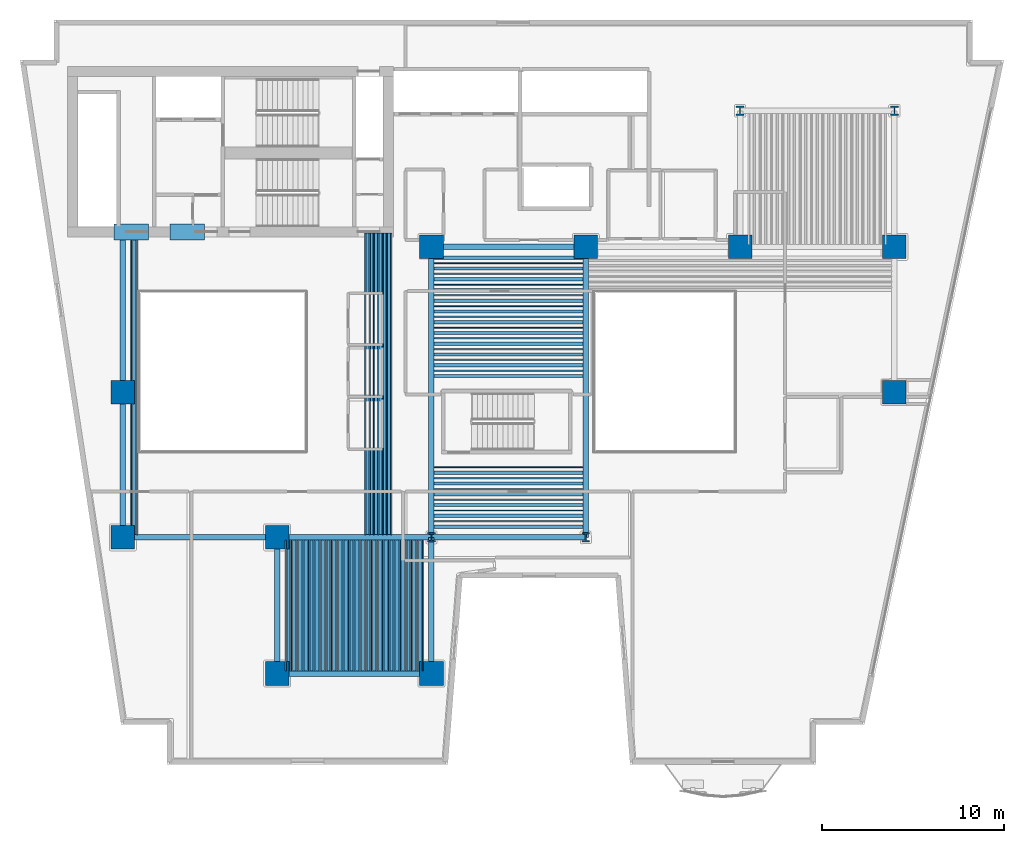
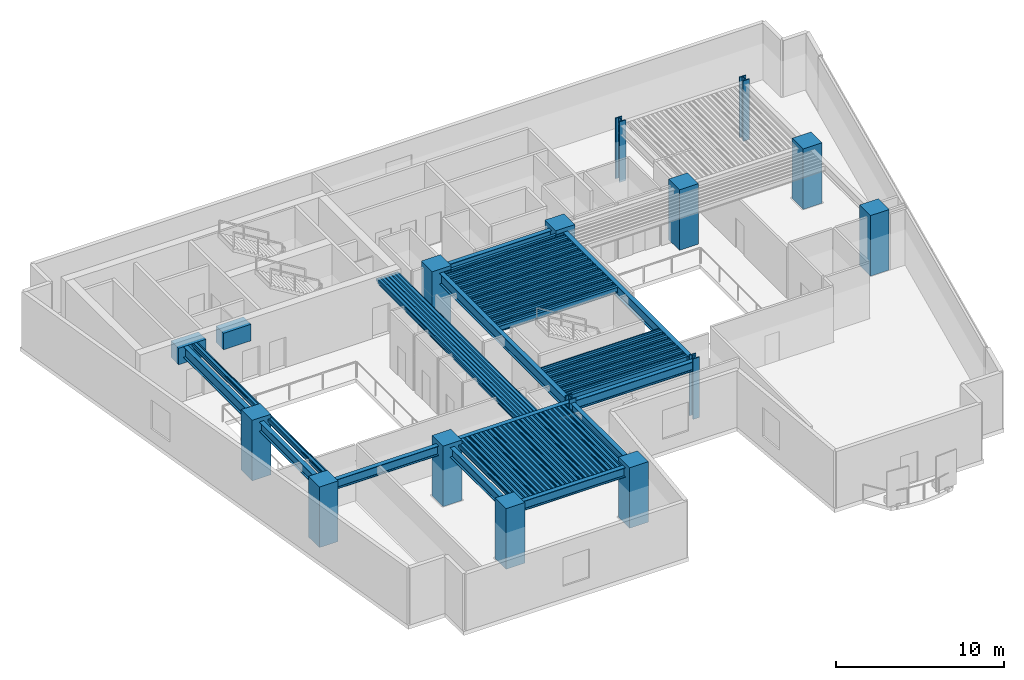
# One storey, part 1 of 12: 113 beams, 14 columns.
"""IFC4 building model written with IfcOpenShell, lengths in metres."""

from ifc_helpers import new_model, si_unit, direction, frame, origin, origin_2d, place, context, subcontext, project, spatial, rectangle, hollow_rectangle, i_section, extrude, material, material_profile, profile_set, type_object, element, save


model = new_model("IFC4")

# Units and contexts
model_context = context("Model", 3, precision=1e-05, world=origin(), true_north=direction((0.0, 1.0)))
body_context = subcontext(model_context, "Body", "Model", "MODEL_VIEW")
ifc_project = project(units=[si_unit("LENGTHUNIT", "METRE"), si_unit("AREAUNIT", "SQUARE_METRE"), si_unit("VOLUMEUNIT", "CUBIC_METRE"), si_unit("PLANEANGLEUNIT", "RADIAN"), si_unit("MASSUNIT", "GRAM", prefix="KILO")], contexts=[model_context])

# Site, building, storey
site_placement = place(None, origin())
site = spatial("IfcSite", under=ifc_project, at=site_placement, CompositionType="ELEMENT")
building_placement = place(site_placement, origin())
building = spatial("IfcBuilding", under=site, at=building_placement, Name="Caeloran Harvest Quay", CompositionType="ELEMENT")
storey_placement = place(building_placement, frame((0.0, 0.0, 97.39990234375)))
storey = spatial("IfcBuildingStorey", under=building, at=storey_placement, Name="L22", CompositionType="ELEMENT", Elevation=97.39990234375)

# Columns
ifc_material_1 = material(Name="Concrete C80/95", Category="concrete")
ifc_material_profile_1 = material_profile(ifc_material_1, rectangle(XDim=1.300048828125, YDim=1.300048828125, at=origin_2d()), Name="RC 1300x1300")
ifc_profile_set_1 = profile_set([ifc_material_profile_1], Name="Concrete C80/95")
column_type_1 = type_object("IfcColumnType", Name="COL-MC-2-RC_1300x1300", PredefinedType="COLUMN", material=ifc_profile_set_1)
for number, where, z_axis, x_axis, name in (
    (1, (8.5, 15.0, 0.0), (0.0, 0.0, 1.0), (1.0, 0.0, 0.0), "L22 Structural Column (8.5, 15.0)"),
    (2, (8.5, 23.0, 0.0), (0.0, 0.0, 1.0), (1.0, 0.0, 0.0), "L22 Structural Column (8.5, 23.0)"),
    (3, (17.0, 7.5, 0.0), (0.0, 0.0, 1.0), (1.0, 0.0, 0.0), "L22 Structural Column (17.0, 7.5)"),
    (4, (17.0, 15.0, 0.0), (0.0, 0.0, 1.0), (1.0, 0.0, 0.0), "L22 Structural Column (17.0, 15.0)"),
    (5, (25.5, 7.5, 0.0), (0.0, 0.0, 1.0), (1.0, 0.0, 0.0), "L22 Structural Column (25.5, 7.5)"),
    (6, (25.5, 31.0, 0.0), (0.0, 0.0, 1.0), (1.0, 0.0, 0.0), "L22 Structural Column (25.5, 31.0)"),
    (7, (34.0, 31.0, 0.0), (0.0, 0.0, 1.0), (1.0, 0.0, 0.0), "L22 Structural Column (34.0, 31.0)"),
    (8, (42.5, 31.0, 0.0), (0.0, 0.0, 1.0), (1.0, 0.0, 0.0), "L22 Structural Column (42.5, 31.0)"),
    (9, (51.0, 23.0, 0.0), (0.0, 0.0, 1.0), (1.0, 0.0, 0.0), "L22 Structural Column (51.0, 23.0)"),
    (10, (51.0, 31.0, 0.0), (0.0, 0.0, 1.0), (1.0, 0.0, 0.0), "L22 Structural Column (51.0, 31.0)"),
):
    element("IfcColumn", number, at=place(storey_placement, frame(where, z_axis=z_axis, x_axis=x_axis)), inside=storey, type_object=column_type_1, Name=name, PredefinedType="COLUMN", context=body_context, shape_type="SweptSolid", body=[
        extrude(rectangle(XDim=1.300048828125, YDim=1.300048828125, at=origin_2d()), origin(), (0.0, 0.0, 1.0), 4.400146484375),
    ])
ifc_material_2 = material(Name="Steel HISTAR 460", Category="steel")
ifc_material_profile_2 = material_profile(ifc_material_2, i_section(OverallWidth=0.43701171875, OverallDepth=0.513916015625, WebThickness=0.060546875, FlangeThickness=0.076904296875, FilletRadius=0.014892578125, at=origin_2d()), Name="HD 400x818")
ifc_profile_set_2 = profile_set([ifc_material_profile_2], Name="Steel HISTAR 460")
column_type_2 = type_object("IfcColumnType", Name="COL-SC-2-HD_400x818", PredefinedType="COLUMN", material=ifc_profile_set_2)
for number, where, z_axis, x_axis, name in (
    (11, (25.5, 15.0, 0.0), (0.0, 0.0, 1.0), (1.0, 0.0, 0.0), "L22 Structural Column (25.5, 15.0)"),
    (12, (34.0, 15.0, 0.0), (0.0, 0.0, 1.0), (1.0, 0.0, 0.0), "L22 Structural Column (34.0, 15.0)"),
    (13, (42.5, 38.5, 0.0), (0.0, 0.0, 1.0), (1.0, 0.0, 0.0), "L22 Structural Column (42.5, 38.5)"),
    (14, (51.0, 38.5, 0.0), (0.0, 0.0, 1.0), (1.0, 0.0, 0.0), "L22 Structural Column (51.0, 38.5)"),
):
    element("IfcColumn", number, at=place(storey_placement, frame(where, z_axis=z_axis, x_axis=x_axis)), inside=storey, type_object=column_type_2, Name=name, PredefinedType="COLUMN", context=body_context, shape_type="SweptSolid", body=[
        extrude(i_section(OverallWidth=0.43701171875, OverallDepth=0.513916015625, WebThickness=0.060546875, FlangeThickness=0.076904296875, FilletRadius=0.014892578125, at=origin_2d()), origin(), (0.0, 0.0, 1.0), 4.400146484375),
    ])

# Beams
ifc_material_profile_3 = material_profile(ifc_material_1, rectangle(XDim=0.89990234375, YDim=1.199951171875, at=origin_2d()), Name="RC 900x1200")
ifc_profile_set_3 = profile_set([ifc_material_profile_3], Name="Concrete C80/95")
beam_type_1 = type_object("IfcBeamType", Name="BM-CB-1-RC_900x1200", PredefinedType="LINTEL", material=ifc_profile_set_3)
for number, where, z_axis, x_axis, name in (
    (15, (8.0, 31.824951171875, 3.51513671875), (1.0, 0.0, 0.0), (0.0, 1.0, 0.0), "L22 Core Coupling Beam 1"),
    (16, (11.10009765625, 31.824951171875, 3.51513671875), (1.0, 0.0, 0.0), (0.0, 1.0, 0.0), "L22 Core Coupling Beam 2"),
):
    element("IfcBeam", number, at=place(storey_placement, frame(where, z_axis=z_axis, x_axis=x_axis)), inside=storey, type_object=beam_type_1, Name=name, PredefinedType="LINTEL", context=body_context, shape_type="SweptSolid", body=[
        extrude(rectangle(XDim=0.89990234375, YDim=1.199951171875, at=origin_2d()), origin(), (0.0, 0.0, 1.0), 1.89990234375),
    ])
ifc_material_3 = material(Name="Steel S355J2", Category="steel")
ifc_material_profile_4 = material_profile(ifc_material_3, i_section(OverallWidth=0.300048828125, OverallDepth=0.800048828125, WebThickness=0.017578125, FlangeThickness=0.032958984375, FilletRadius=0.030029296875, at=origin_2d()), Name="HE 800 B")
ifc_profile_set_4 = profile_set([ifc_material_profile_4], Name="Steel S355J2")
beam_type_2 = type_object("IfcBeamType", Name="BM-PG-1-HE_800_B", PredefinedType="BEAM", material=ifc_profile_set_4)
beam_1_placement = place(storey_placement, frame((8.5, 23.0, 3.715087890625), z_axis=(0.0, 1.0, 0.0), x_axis=(-1.0, 0.0, 0.0)))
element("IfcBeam", 17, at=beam_1_placement, inside=storey, type_object=beam_type_2, Name="L22 Core South Tie Girder X=8.5", PredefinedType="BEAM", context=body_context, shape_type="SweptSolid", body=[
    extrude(i_section(OverallWidth=0.300048828125, OverallDepth=0.800048828125, WebThickness=0.017578125, FlangeThickness=0.032958984375, FilletRadius=0.030029296875, at=origin_2d()), origin(), (0.0, 0.0, 1.0), 8.77490234375),
])
for number, where, z_axis, x_axis, name in (
    (18, (25.5, 15.0, 3.715087890625), (0.0, 1.0, 0.0), (-1.0, 0.0, 0.0), "L22 Primary North-South Girder X=25.5"),
    (19, (34.0, 15.0, 3.715087890625), (0.0, 1.0, 0.0), (-1.0, 0.0, 0.0), "L22 Primary North-South Girder X=34.0"),
):
    element("IfcBeam", number, at=place(storey_placement, frame(where, z_axis=z_axis, x_axis=x_axis)), inside=storey, type_object=beam_type_2, Name=name, PredefinedType="BEAM", context=body_context, shape_type="SweptSolid", body=[
        extrude(i_section(OverallWidth=0.300048828125, OverallDepth=0.800048828125, WebThickness=0.017578125, FlangeThickness=0.032958984375, FilletRadius=0.030029296875, at=origin_2d()), origin(), (0.0, 0.0, 1.0), 16.0),
    ])
ifc_material_profile_5 = material_profile(ifc_material_3, i_section(OverallWidth=0.300048828125, OverallDepth=0.699951171875, WebThickness=0.01708984375, FlangeThickness=0.031982421875, FilletRadius=0.027099609375, at=origin_2d()), Name="HE 700 B")
ifc_profile_set_5 = profile_set([ifc_material_profile_5], Name="Steel S355J2")
beam_type_3 = type_object("IfcBeamType", Name="BM-PG-2-HE_700_B", PredefinedType="BEAM", material=ifc_profile_set_5)
for number, where, z_axis, x_axis, name in (
    (20, (17.0, 7.5, 3.76513671875), (1.0, 0.0, 0.0), (0.0, 1.0, 0.0), "L22 Primary East-West Girder Y=7.5"),
    (21, (8.5, 15.0, 3.76513671875), (1.0, 0.0, 0.0), (0.0, 1.0, 0.0), "L22 Primary East-West Girder Y=15.0"),
    (22, (17.0, 15.0, 3.76513671875), (1.0, 0.0, 0.0), (0.0, 1.0, 0.0), "L22 Primary East-West Girder Y=15.0"),
    (23, (25.5, 15.0, 3.76513671875), (1.0, 0.0, 0.0), (0.0, 1.0, 0.0), "L22 Primary East-West Girder Y=15.0"),
    (24, (25.5, 31.0, 3.76513671875), (1.0, 0.0, 0.0), (0.0, 1.0, 0.0), "L22 Primary East-West Girder Y=31.0"),
):
    element("IfcBeam", number, at=place(storey_placement, frame(where, z_axis=z_axis, x_axis=x_axis)), inside=storey, type_object=beam_type_3, Name=name, PredefinedType="BEAM", context=body_context, shape_type="SweptSolid", body=[
        extrude(i_section(OverallWidth=0.300048828125, OverallDepth=0.699951171875, WebThickness=0.01708984375, FlangeThickness=0.031982421875, FilletRadius=0.027099609375, at=origin_2d()), origin(), (0.0, 0.0, 1.0), 8.5),
    ])
beam_2_placement = place(storey_placement, frame((8.5, 15.0, 3.76513671875), z_axis=(0.0, 1.0, 0.0), x_axis=(-1.0, 0.0, 0.0)))
element("IfcBeam", 25, at=beam_2_placement, inside=storey, type_object=beam_type_3, Name="L22 Primary North-South Girder X=8.5", PredefinedType="BEAM", context=body_context, shape_type="SweptSolid", body=[
    extrude(i_section(OverallWidth=0.300048828125, OverallDepth=0.699951171875, WebThickness=0.01708984375, FlangeThickness=0.031982421875, FilletRadius=0.027099609375, at=origin_2d()), origin(), (0.0, 0.0, 1.0), 8.0),
])
for number, where, z_axis, x_axis, name in (
    (26, (17.0, 7.5, 3.76513671875), (0.0, 1.0, 0.0), (-1.0, 0.0, 0.0), "L22 Primary North-South Girder X=17.0"),
    (27, (25.5, 7.5, 3.76513671875), (0.0, 1.0, 0.0), (-1.0, 0.0, 0.0), "L22 Primary North-South Girder X=25.5"),
):
    element("IfcBeam", number, at=place(storey_placement, frame(where, z_axis=z_axis, x_axis=x_axis)), inside=storey, type_object=beam_type_3, Name=name, PredefinedType="BEAM", context=body_context, shape_type="SweptSolid", body=[
        extrude(i_section(OverallWidth=0.300048828125, OverallDepth=0.699951171875, WebThickness=0.01708984375, FlangeThickness=0.031982421875, FilletRadius=0.027099609375, at=origin_2d()), origin(), (0.0, 0.0, 1.0), 7.5),
    ])
ifc_material_profile_6 = material_profile(ifc_material_3, i_section(OverallWidth=0.179931640625, OverallDepth=0.39990234375, WebThickness=0.008544921875, FlangeThickness=0.013427734375, FilletRadius=0.02099609375, at=origin_2d()), Name="IPE 400")
ifc_profile_set_6 = profile_set([ifc_material_profile_6], Name="Steel S355J2")
beam_type_4 = type_object("IfcBeamType", Name="BM-SB-4-IPE_400", PredefinedType="JOIST", material=ifc_profile_set_6)
for number, where, z_axis, x_axis, name in (
    (28, (17.629638671875, 7.64501953125, 3.9150390625), (0.0, 1.0, 0.0), (-1.0, 0.0, 0.0), "L22 Secondary Composite Joist"),
    (29, (17.9443359375, 7.64501953125, 3.9150390625), (0.0, 1.0, 0.0), (-1.0, 0.0, 0.0), "L22 Secondary Composite Joist"),
    (30, (18.25927734375, 7.64501953125, 3.9150390625), (0.0, 1.0, 0.0), (-1.0, 0.0, 0.0), "L22 Secondary Composite Joist"),
    (31, (18.57421875, 7.64501953125, 3.9150390625), (0.0, 1.0, 0.0), (-1.0, 0.0, 0.0), "L22 Secondary Composite Joist"),
    (32, (18.888916015625, 7.64501953125, 3.9150390625), (0.0, 1.0, 0.0), (-1.0, 0.0, 0.0), "L22 Secondary Composite Joist"),
    (33, (19.20361328125, 7.64501953125, 3.9150390625), (0.0, 1.0, 0.0), (-1.0, 0.0, 0.0), "L22 Secondary Composite Joist"),
    (34, (19.5185546875, 7.64501953125, 3.9150390625), (0.0, 1.0, 0.0), (-1.0, 0.0, 0.0), "L22 Secondary Composite Joist"),
    (35, (19.833251953125, 7.64501953125, 3.9150390625), (0.0, 1.0, 0.0), (-1.0, 0.0, 0.0), "L22 Secondary Composite Joist"),
    (36, (20.148193359375, 7.64501953125, 3.9150390625), (0.0, 1.0, 0.0), (-1.0, 0.0, 0.0), "L22 Secondary Composite Joist"),
    (37, (20.462890625, 7.64501953125, 3.9150390625), (0.0, 1.0, 0.0), (-1.0, 0.0, 0.0), "L22 Secondary Composite Joist"),
    (38, (20.77783203125, 7.64501953125, 3.9150390625), (0.0, 1.0, 0.0), (-1.0, 0.0, 0.0), "L22 Secondary Composite Joist"),
    (39, (21.092529296875, 7.64501953125, 3.9150390625), (0.0, 1.0, 0.0), (-1.0, 0.0, 0.0), "L22 Secondary Composite Joist"),
    (40, (21.407470703125, 7.64501953125, 3.9150390625), (0.0, 1.0, 0.0), (-1.0, 0.0, 0.0), "L22 Secondary Composite Joist"),
    (41, (21.72216796875, 7.64501953125, 3.9150390625), (0.0, 1.0, 0.0), (-1.0, 0.0, 0.0), "L22 Secondary Composite Joist"),
    (42, (22.037109375, 7.64501953125, 3.9150390625), (0.0, 1.0, 0.0), (-1.0, 0.0, 0.0), "L22 Secondary Composite Joist"),
    (43, (22.351806640625, 7.64501953125, 3.9150390625), (0.0, 1.0, 0.0), (-1.0, 0.0, 0.0), "L22 Secondary Composite Joist"),
    (44, (22.666748046875, 7.64501953125, 3.9150390625), (0.0, 1.0, 0.0), (-1.0, 0.0, 0.0), "L22 Secondary Composite Joist"),
    (45, (22.9814453125, 7.64501953125, 3.9150390625), (0.0, 1.0, 0.0), (-1.0, 0.0, 0.0), "L22 Secondary Composite Joist"),
    (46, (23.29638671875, 7.64501953125, 3.9150390625), (0.0, 1.0, 0.0), (-1.0, 0.0, 0.0), "L22 Secondary Composite Joist"),
    (47, (23.611083984375, 7.64501953125, 3.9150390625), (0.0, 1.0, 0.0), (-1.0, 0.0, 0.0), "L22 Secondary Composite Joist"),
    (48, (23.92578125, 7.64501953125, 3.9150390625), (0.0, 1.0, 0.0), (-1.0, 0.0, 0.0), "L22 Secondary Composite Joist"),
    (49, (24.24072265625, 7.64501953125, 3.9150390625), (0.0, 1.0, 0.0), (-1.0, 0.0, 0.0), "L22 Secondary Composite Joist"),
    (50, (24.5556640625, 7.64501953125, 3.9150390625), (0.0, 1.0, 0.0), (-1.0, 0.0, 0.0), "L22 Secondary Composite Joist"),
    (51, (24.870361328125, 7.64501953125, 3.9150390625), (0.0, 1.0, 0.0), (-1.0, 0.0, 0.0), "L22 Secondary Composite Joist"),
):
    element("IfcBeam", number, at=place(storey_placement, frame(where, z_axis=z_axis, x_axis=x_axis)), inside=storey, type_object=beam_type_4, Name=name, PredefinedType="JOIST", context=body_context, shape_type="SweptSolid", body=[
        extrude(i_section(OverallWidth=0.179931640625, OverallDepth=0.39990234375, WebThickness=0.008544921875, FlangeThickness=0.013427734375, FilletRadius=0.02099609375, at=origin_2d()), origin(), (0.0, 0.0, 1.0), 7.2099609375),
    ])
for number, where, z_axis, x_axis, name in (
    (52, (9.129638671875, 15.14501953125, 3.9150390625), (0.0, 1.0, 0.0), (-1.0, 0.0, 0.0), "L22 Secondary Composite Joist"),
    (53, (21.977783203125, 15.14501953125, 3.9150390625), (0.0, 1.0, 0.0), (-1.0, 0.0, 0.0), "L22 Secondary Composite Joist"),
    (54, (22.21484375, 15.14501953125, 3.9150390625), (0.0, 1.0, 0.0), (-1.0, 0.0, 0.0), "L22 Secondary Composite Joist"),
    (55, (22.451904296875, 15.14501953125, 3.9150390625), (0.0, 1.0, 0.0), (-1.0, 0.0, 0.0), "L22 Secondary Composite Joist"),
    (56, (22.68896484375, 15.14501953125, 3.9150390625), (0.0, 1.0, 0.0), (-1.0, 0.0, 0.0), "L22 Secondary Composite Joist"),
    (57, (22.92578125, 15.14501953125, 3.9150390625), (0.0, 1.0, 0.0), (-1.0, 0.0, 0.0), "L22 Secondary Composite Joist"),
    (58, (23.1630859375, 15.14501953125, 3.9150390625), (0.0, 1.0, 0.0), (-1.0, 0.0, 0.0), "L22 Secondary Composite Joist"),
):
    element("IfcBeam", number, at=place(storey_placement, frame(where, z_axis=z_axis, x_axis=x_axis)), inside=storey, type_object=beam_type_4, Name=name, PredefinedType="JOIST", context=body_context, shape_type="SweptSolid", body=[
        extrude(i_section(OverallWidth=0.179931640625, OverallDepth=0.39990234375, WebThickness=0.008544921875, FlangeThickness=0.013427734375, FilletRadius=0.02099609375, at=origin_2d()), origin(), (0.0, 0.0, 1.0), 16.6298828125),
    ])
for number, where, z_axis, x_axis, name in (
    (59, (25.64501953125, 15.592529296875, 3.9150390625), (1.0, 0.0, 0.0), (0.0, 1.0, 0.0), "L22 Secondary East-West Composite Joist"),
    (60, (25.64501953125, 16.185302734375, 3.9150390625), (1.0, 0.0, 0.0), (0.0, 1.0, 0.0), "L22 Secondary East-West Composite Joist"),
    (61, (25.64501953125, 16.77783203125, 3.9150390625), (1.0, 0.0, 0.0), (0.0, 1.0, 0.0), "L22 Secondary East-West Composite Joist"),
    (62, (25.64501953125, 17.370361328125, 3.9150390625), (1.0, 0.0, 0.0), (0.0, 1.0, 0.0), "L22 Secondary East-West Composite Joist"),
    (63, (25.64501953125, 17.962890625, 3.9150390625), (1.0, 0.0, 0.0), (0.0, 1.0, 0.0), "L22 Secondary East-West Composite Joist"),
    (64, (25.64501953125, 18.5556640625, 3.9150390625), (1.0, 0.0, 0.0), (0.0, 1.0, 0.0), "L22 Secondary East-West Composite Joist"),
    (65, (25.64501953125, 23.888916015625, 3.9150390625), (1.0, 0.0, 0.0), (0.0, 1.0, 0.0), "L22 Secondary East-West Composite Joist"),
    (66, (25.64501953125, 24.4814453125, 3.9150390625), (1.0, 0.0, 0.0), (0.0, 1.0, 0.0), "L22 Secondary East-West Composite Joist"),
    (67, (25.64501953125, 25.07421875, 3.9150390625), (1.0, 0.0, 0.0), (0.0, 1.0, 0.0), "L22 Secondary East-West Composite Joist"),
    (68, (25.64501953125, 25.666748046875, 3.9150390625), (1.0, 0.0, 0.0), (0.0, 1.0, 0.0), "L22 Secondary East-West Composite Joist"),
    (69, (25.64501953125, 26.25927734375, 3.9150390625), (1.0, 0.0, 0.0), (0.0, 1.0, 0.0), "L22 Secondary East-West Composite Joist"),
    (70, (25.64501953125, 26.851806640625, 3.9150390625), (1.0, 0.0, 0.0), (0.0, 1.0, 0.0), "L22 Secondary East-West Composite Joist"),
    (71, (25.64501953125, 27.4443359375, 3.9150390625), (1.0, 0.0, 0.0), (0.0, 1.0, 0.0), "L22 Secondary East-West Composite Joist"),
    (72, (25.64501953125, 28.037109375, 3.9150390625), (1.0, 0.0, 0.0), (0.0, 1.0, 0.0), "L22 Secondary East-West Composite Joist"),
    (73, (25.64501953125, 28.629638671875, 3.9150390625), (1.0, 0.0, 0.0), (0.0, 1.0, 0.0), "L22 Secondary East-West Composite Joist"),
    (74, (25.64501953125, 29.22216796875, 3.9150390625), (1.0, 0.0, 0.0), (0.0, 1.0, 0.0), "L22 Secondary East-West Composite Joist"),
    (75, (25.64501953125, 29.814697265625, 3.9150390625), (1.0, 0.0, 0.0), (0.0, 1.0, 0.0), "L22 Secondary East-West Composite Joist"),
    (76, (25.64501953125, 30.407470703125, 3.9150390625), (1.0, 0.0, 0.0), (0.0, 1.0, 0.0), "L22 Secondary East-West Composite Joist"),
):
    element("IfcBeam", number, at=place(storey_placement, frame(where, z_axis=z_axis, x_axis=x_axis)), inside=storey, type_object=beam_type_4, Name=name, PredefinedType="JOIST", context=body_context, shape_type="SweptSolid", body=[
        extrude(i_section(OverallWidth=0.179931640625, OverallDepth=0.39990234375, WebThickness=0.008544921875, FlangeThickness=0.013427734375, FilletRadius=0.02099609375, at=origin_2d()), origin(), (0.0, 0.0, 1.0), 8.2099609375),
    ])
ifc_material_profile_7 = material_profile(ifc_material_3, hollow_rectangle(XDim=0.080078125, YDim=0.199951171875, WallThickness=0.006103515625, InnerFilletRadius=0.006103515625, OuterFilletRadius=0.009033203125, at=origin_2d()), Name="RHS 200x80x6")
ifc_profile_set_7 = profile_set([ifc_material_profile_7], Name="Steel S355J2")
beam_type_5 = type_object("IfcBeamType", Name="BM-SB-7-RHS_200x80x6", PredefinedType="JOIST", material=ifc_profile_set_7)
for number, where, z_axis, x_axis, name in (
    (77, (17.47216796875, 7.64501953125, 4.01513671875), (0.0, 1.0, 0.0), (-1.0, 0.0, 0.0), "L22 Secondary Composite Joist"),
    (78, (17.787109375, 7.64501953125, 4.01513671875), (0.0, 1.0, 0.0), (-1.0, 0.0, 0.0), "L22 Secondary Composite Joist"),
    (79, (18.101806640625, 7.64501953125, 4.01513671875), (0.0, 1.0, 0.0), (-1.0, 0.0, 0.0), "L22 Secondary Composite Joist"),
    (80, (18.416748046875, 7.64501953125, 4.01513671875), (0.0, 1.0, 0.0), (-1.0, 0.0, 0.0), "L22 Secondary Composite Joist"),
    (81, (18.7314453125, 7.64501953125, 4.01513671875), (0.0, 1.0, 0.0), (-1.0, 0.0, 0.0), "L22 Secondary Composite Joist"),
    (82, (19.04638671875, 7.64501953125, 4.01513671875), (0.0, 1.0, 0.0), (-1.0, 0.0, 0.0), "L22 Secondary Composite Joist"),
    (83, (19.361083984375, 7.64501953125, 4.01513671875), (0.0, 1.0, 0.0), (-1.0, 0.0, 0.0), "L22 Secondary Composite Joist"),
    (84, (19.67578125, 7.64501953125, 4.01513671875), (0.0, 1.0, 0.0), (-1.0, 0.0, 0.0), "L22 Secondary Composite Joist"),
    (85, (19.99072265625, 7.64501953125, 4.01513671875), (0.0, 1.0, 0.0), (-1.0, 0.0, 0.0), "L22 Secondary Composite Joist"),
    (86, (20.3056640625, 7.64501953125, 4.01513671875), (0.0, 1.0, 0.0), (-1.0, 0.0, 0.0), "L22 Secondary Composite Joist"),
    (87, (20.620361328125, 7.64501953125, 4.01513671875), (0.0, 1.0, 0.0), (-1.0, 0.0, 0.0), "L22 Secondary Composite Joist"),
    (88, (20.935302734375, 7.64501953125, 4.01513671875), (0.0, 1.0, 0.0), (-1.0, 0.0, 0.0), "L22 Secondary Composite Joist"),
    (89, (21.25, 7.64501953125, 4.01513671875), (0.0, 1.0, 0.0), (-1.0, 0.0, 0.0), "L22 Secondary Composite Joist"),
    (90, (21.564697265625, 7.64501953125, 4.01513671875), (0.0, 1.0, 0.0), (-1.0, 0.0, 0.0), "L22 Secondary Composite Joist"),
    (91, (21.879638671875, 7.64501953125, 4.01513671875), (0.0, 1.0, 0.0), (-1.0, 0.0, 0.0), "L22 Secondary Composite Joist"),
    (92, (22.1943359375, 7.64501953125, 4.01513671875), (0.0, 1.0, 0.0), (-1.0, 0.0, 0.0), "L22 Secondary Composite Joist"),
    (93, (22.50927734375, 7.64501953125, 4.01513671875), (0.0, 1.0, 0.0), (-1.0, 0.0, 0.0), "L22 Secondary Composite Joist"),
    (94, (22.82421875, 7.64501953125, 4.01513671875), (0.0, 1.0, 0.0), (-1.0, 0.0, 0.0), "L22 Secondary Composite Joist"),
    (95, (23.138916015625, 7.64501953125, 4.01513671875), (0.0, 1.0, 0.0), (-1.0, 0.0, 0.0), "L22 Secondary Composite Joist"),
    (96, (23.45361328125, 7.64501953125, 4.01513671875), (0.0, 1.0, 0.0), (-1.0, 0.0, 0.0), "L22 Secondary Composite Joist"),
    (97, (23.7685546875, 7.64501953125, 4.01513671875), (0.0, 1.0, 0.0), (-1.0, 0.0, 0.0), "L22 Secondary Composite Joist"),
    (98, (24.083251953125, 7.64501953125, 4.01513671875), (0.0, 1.0, 0.0), (-1.0, 0.0, 0.0), "L22 Secondary Composite Joist"),
    (99, (24.398193359375, 7.64501953125, 4.01513671875), (0.0, 1.0, 0.0), (-1.0, 0.0, 0.0), "L22 Secondary Composite Joist"),
    (100, (24.712890625, 7.64501953125, 4.01513671875), (0.0, 1.0, 0.0), (-1.0, 0.0, 0.0), "L22 Secondary Composite Joist"),
    (101, (25.02783203125, 7.64501953125, 4.01513671875), (0.0, 1.0, 0.0), (-1.0, 0.0, 0.0), "L22 Secondary Composite Joist"),
):
    element("IfcBeam", number, at=place(storey_placement, frame(where, z_axis=z_axis, x_axis=x_axis)), inside=storey, type_object=beam_type_5, Name=name, PredefinedType="JOIST", context=body_context, shape_type="SweptSolid", body=[
        extrude(hollow_rectangle(XDim=0.080078125, YDim=0.199951171875, WallThickness=0.006103515625, InnerFilletRadius=0.006103515625, OuterFilletRadius=0.009033203125, at=origin_2d()), origin(), (0.0, 0.0, 1.0), 7.2099609375),
    ])
for number, where, z_axis, x_axis, name in (
    (102, (8.97216796875, 15.14501953125, 4.01513671875), (0.0, 1.0, 0.0), (-1.0, 0.0, 0.0), "L22 Secondary Composite Joist"),
    (103, (9.287109375, 15.14501953125, 4.01513671875), (0.0, 1.0, 0.0), (-1.0, 0.0, 0.0), "L22 Secondary Composite Joist"),
    (104, (21.859375, 15.14501953125, 4.01513671875), (0.0, 1.0, 0.0), (-1.0, 0.0, 0.0), "L22 Secondary Composite Joist"),
    (105, (22.09619140625, 15.14501953125, 4.01513671875), (0.0, 1.0, 0.0), (-1.0, 0.0, 0.0), "L22 Secondary Composite Joist"),
    (106, (22.333251953125, 15.14501953125, 4.01513671875), (0.0, 1.0, 0.0), (-1.0, 0.0, 0.0), "L22 Secondary Composite Joist"),
    (107, (22.5703125, 15.14501953125, 4.01513671875), (0.0, 1.0, 0.0), (-1.0, 0.0, 0.0), "L22 Secondary Composite Joist"),
    (108, (22.807373046875, 15.14501953125, 4.01513671875), (0.0, 1.0, 0.0), (-1.0, 0.0, 0.0), "L22 Secondary Composite Joist"),
    (109, (23.04443359375, 15.14501953125, 4.01513671875), (0.0, 1.0, 0.0), (-1.0, 0.0, 0.0), "L22 Secondary Composite Joist"),
    (110, (23.281494140625, 15.14501953125, 4.01513671875), (0.0, 1.0, 0.0), (-1.0, 0.0, 0.0), "L22 Secondary Composite Joist"),
):
    element("IfcBeam", number, at=place(storey_placement, frame(where, z_axis=z_axis, x_axis=x_axis)), inside=storey, type_object=beam_type_5, Name=name, PredefinedType="JOIST", context=body_context, shape_type="SweptSolid", body=[
        extrude(hollow_rectangle(XDim=0.080078125, YDim=0.199951171875, WallThickness=0.006103515625, InnerFilletRadius=0.006103515625, OuterFilletRadius=0.009033203125, at=origin_2d()), origin(), (0.0, 0.0, 1.0), 16.6298828125),
    ])
for number, where, z_axis, x_axis, name in (
    (111, (25.64501953125, 15.888916015625, 4.01513671875), (1.0, 0.0, 0.0), (0.0, 1.0, 0.0), "L22 Secondary East-West Composite Joist"),
    (112, (25.64501953125, 16.4814453125, 4.01513671875), (1.0, 0.0, 0.0), (0.0, 1.0, 0.0), "L22 Secondary East-West Composite Joist"),
    (113, (25.64501953125, 17.07421875, 4.01513671875), (1.0, 0.0, 0.0), (0.0, 1.0, 0.0), "L22 Secondary East-West Composite Joist"),
    (114, (25.64501953125, 17.666748046875, 4.01513671875), (1.0, 0.0, 0.0), (0.0, 1.0, 0.0), "L22 Secondary East-West Composite Joist"),
    (115, (25.64501953125, 18.25927734375, 4.01513671875), (1.0, 0.0, 0.0), (0.0, 1.0, 0.0), "L22 Secondary East-West Composite Joist"),
    (116, (25.64501953125, 18.851806640625, 4.01513671875), (1.0, 0.0, 0.0), (0.0, 1.0, 0.0), "L22 Secondary East-West Composite Joist"),
    (117, (25.64501953125, 24.185302734375, 4.01513671875), (1.0, 0.0, 0.0), (0.0, 1.0, 0.0), "L22 Secondary East-West Composite Joist"),
    (118, (25.64501953125, 24.77783203125, 4.01513671875), (1.0, 0.0, 0.0), (0.0, 1.0, 0.0), "L22 Secondary East-West Composite Joist"),
    (119, (25.64501953125, 25.370361328125, 4.01513671875), (1.0, 0.0, 0.0), (0.0, 1.0, 0.0), "L22 Secondary East-West Composite Joist"),
    (120, (25.64501953125, 25.962890625, 4.01513671875), (1.0, 0.0, 0.0), (0.0, 1.0, 0.0), "L22 Secondary East-West Composite Joist"),
    (121, (25.64501953125, 26.5556640625, 4.01513671875), (1.0, 0.0, 0.0), (0.0, 1.0, 0.0), "L22 Secondary East-West Composite Joist"),
    (122, (25.64501953125, 27.148193359375, 4.01513671875), (1.0, 0.0, 0.0), (0.0, 1.0, 0.0), "L22 Secondary East-West Composite Joist"),
    (123, (25.64501953125, 27.74072265625, 4.01513671875), (1.0, 0.0, 0.0), (0.0, 1.0, 0.0), "L22 Secondary East-West Composite Joist"),
    (124, (25.64501953125, 28.333251953125, 4.01513671875), (1.0, 0.0, 0.0), (0.0, 1.0, 0.0), "L22 Secondary East-West Composite Joist"),
    (125, (25.64501953125, 28.92578125, 4.01513671875), (1.0, 0.0, 0.0), (0.0, 1.0, 0.0), "L22 Secondary East-West Composite Joist"),
    (126, (25.64501953125, 29.5185546875, 4.01513671875), (1.0, 0.0, 0.0), (0.0, 1.0, 0.0), "L22 Secondary East-West Composite Joist"),
    (127, (25.64501953125, 30.111083984375, 4.01513671875), (1.0, 0.0, 0.0), (0.0, 1.0, 0.0), "L22 Secondary East-West Composite Joist"),
):
    element("IfcBeam", number, at=place(storey_placement, frame(where, z_axis=z_axis, x_axis=x_axis)), inside=storey, type_object=beam_type_5, Name=name, PredefinedType="JOIST", context=body_context, shape_type="SweptSolid", body=[
        extrude(hollow_rectangle(XDim=0.080078125, YDim=0.199951171875, WallThickness=0.006103515625, InnerFilletRadius=0.006103515625, OuterFilletRadius=0.009033203125, at=origin_2d()), origin(), (0.0, 0.0, 1.0), 8.2099609375),
    ])

save(model, "model.ifc")
